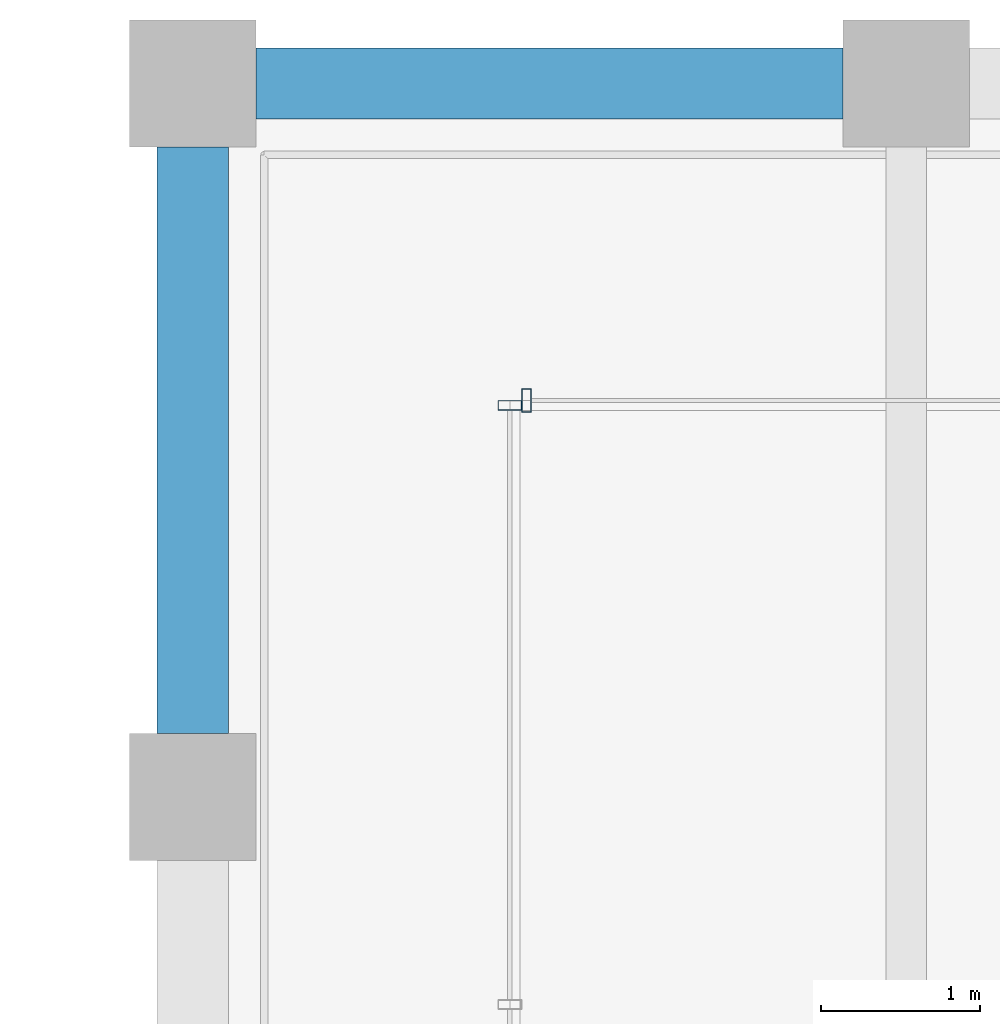
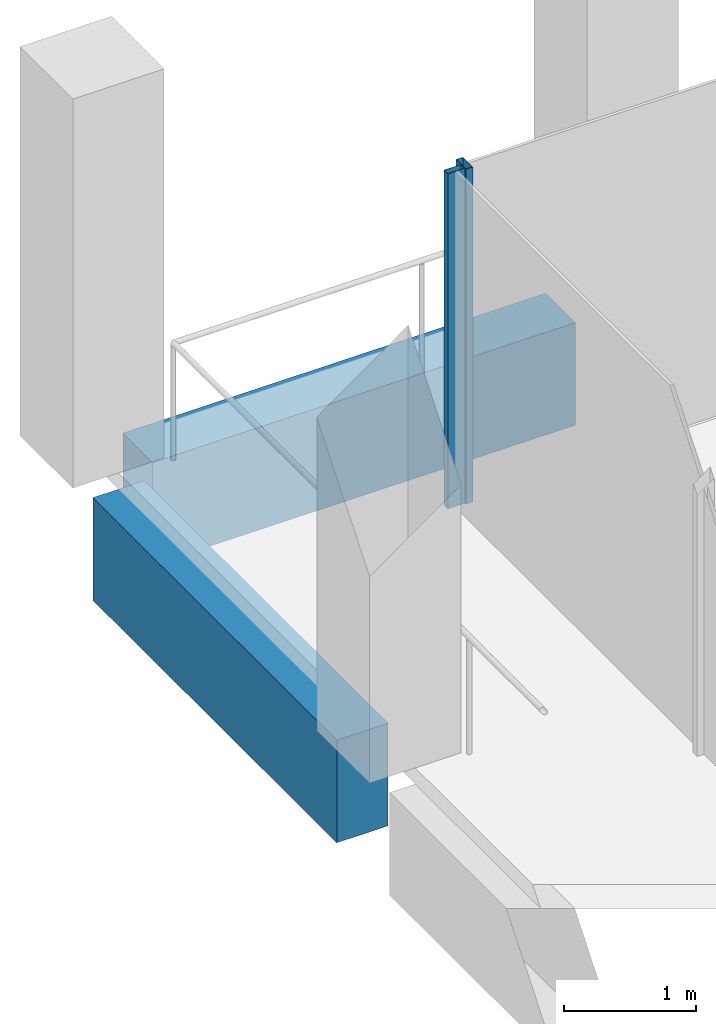
# One storey, part 21 of 30: 2 beams, 2 members, 2 elements without a shape of their own.
"""IFC4 building model written with IfcOpenShell, lengths in metres."""

from ifc_helpers import new_model, si_unit, direction, frame, origin, origin_2d, place, context, subcontext, project, spatial, rectangle, hollow_rectangle, extrude, material, material_profile, profile_set, type_object, element, aggregate, save


model = new_model("IFC4")

# Units and contexts
model_context = context("Model", 3, precision=1e-05, world=origin(), true_north=direction((0.0, 1.0)))
body_context = subcontext(model_context, "Body", "Model", "MODEL_VIEW")
ifc_project = project(units=[si_unit("LENGTHUNIT", "METRE"), si_unit("AREAUNIT", "SQUARE_METRE"), si_unit("VOLUMEUNIT", "CUBIC_METRE"), si_unit("PLANEANGLEUNIT", "RADIAN"), si_unit("MASSUNIT", "GRAM", prefix="KILO")], contexts=[model_context])

# Site, building, storey
site_placement = place(None, origin())
site = spatial("IfcSite", under=ifc_project, at=site_placement, CompositionType="ELEMENT")
building_placement = place(site_placement, origin())
building = spatial("IfcBuilding", under=site, at=building_placement, Name="Altepetl Exchange Towers", CompositionType="ELEMENT")
storey_placement = place(building_placement, frame((0.0, 0.0, 224.39990234375)))
storey = spatial("IfcBuildingStorey", under=building, at=storey_placement, Name="L57", CompositionType="ELEMENT", Elevation=224.39990234375)

# Curtain wall, member
ifc_material_1 = material(Name="Aluminium 6063-T6 glazing", Category="aluminium")
curtain_wall_type = type_object("IfcCurtainWallType", Name="Loggia glazing system", PredefinedType="NOTDEFINED", material=ifc_material_1)
curtain_wall_1_placement = place(storey_placement, origin())
curtain_wall_1 = element("IfcCurtainWall", 1, at=curtain_wall_1_placement, inside=storey, type_object=curtain_wall_type, Name="CW1 run", PredefinedType="NOTDEFINED")
ifc_material_2 = material(Name="Aluminium 6063-T6", Category="aluminium")
ifc_material_profile_1 = material_profile(ifc_material_2, hollow_rectangle(XDim=0.06005859375, YDim=0.14990234375, WallThickness=0.0029296875, at=origin_2d()), Name="Mullion 60x150 aluminium")
ifc_profile_set_1 = profile_set([ifc_material_profile_1], Name="Aluminium 6063-T6")
member_type = type_object("IfcMemberType", Name="Mullion 60x150 aluminium", PredefinedType="MULLION", material=ifc_profile_set_1)
member_1_placement = place(storey_placement, frame((42.60498046875, 70.0, 0.0), z_axis=(0.0, 0.0, 1.0), x_axis=(-1.0, 0.0, 0.0)))
member_1 = element("IfcMember", 2, at=member_1_placement, type_object=member_type, Name="MU1 mullion", PredefinedType="MULLION", context=body_context, shape_type="SweptSolid", body=[
    extrude(hollow_rectangle(XDim=0.06005859375, YDim=0.14990234375, WallThickness=0.0029296875, at=origin_2d()), origin(), (0.0, 0.0, 1.0), 3.10009765625),
])
aggregate(curtain_wall_1, [member_1])

curtain_wall_2_placement = place(storey_placement, origin())
curtain_wall_2 = element("IfcCurtainWall", 3, at=curtain_wall_2_placement, inside=storey, type_object=curtain_wall_type, Name="CW1 run", PredefinedType="NOTDEFINED")
member_2_placement = place(storey_placement, frame((42.5, 69.969970703125, 0.0), z_axis=(0.0, 0.0, 1.0), x_axis=(0.0, -1.0, 0.0)))
member_2 = element("IfcMember", 4, at=member_2_placement, type_object=member_type, Name="MU1 mullion", PredefinedType="MULLION", context=body_context, shape_type="SweptSolid", body=[
    extrude(hollow_rectangle(XDim=0.06005859375, YDim=0.14990234375, WallThickness=0.0029296875, at=origin_2d()), origin(), (0.0, 0.0, 1.0), 3.10009765625),
])
aggregate(curtain_wall_2, [member_2])

# Beams
ifc_material_3 = material(Name="Concrete C50/60 precast with cantera rosa facing", Category="concrete")
ifc_material_profile_2 = material_profile(ifc_material_3, rectangle(XDim=0.449951171875, YDim=0.949951171875, at=origin_2d()), Name="450 x 950")
ifc_profile_set_2 = profile_set([ifc_material_profile_2], Name="Concrete C50/60 precast with cantera rosa facing")
beam_type_1 = type_object("IfcBeamType", Name="Spandrel beam 450x950 cantera rosa", PredefinedType="SPANDREL", material=ifc_profile_set_2)
beam_1_placement = place(storey_placement, frame((44.60009765625, 72.0, -0.625), z_axis=(-1.0, 0.0, 0.0), x_axis=(0.0, -1.0, 0.0)))
element("IfcBeam", 5, at=beam_1_placement, inside=storey, type_object=beam_type_1, Name="sp:A:L57:029", PredefinedType="SPANDREL", context=body_context, shape_type="SweptSolid", body=[
    extrude(rectangle(XDim=0.449951171875, YDim=0.949951171875, at=origin_2d()), origin(), (0.0, 0.0, 1.0), 3.7001953125),
])
ifc_material_4 = material(Name="Concrete C50/60 precast with tezontle facing", Category="concrete")
ifc_material_profile_3 = material_profile(ifc_material_4, rectangle(XDim=0.449951171875, YDim=0.949951171875, at=origin_2d()), Name="450 x 950")
ifc_profile_set_3 = profile_set([ifc_material_profile_3], Name="Concrete C50/60 precast with tezontle facing")
beam_type_2 = type_object("IfcBeamType", Name="Spandrel beam 450x950 tezontle", PredefinedType="SPANDREL", material=ifc_profile_set_3)
beam_2_placement = place(storey_placement, frame((40.5, 71.60009765625, -0.625), z_axis=(0.0, -1.0, 0.0), x_axis=(1.0, 0.0, 0.0)))
element("IfcBeam", 6, at=beam_2_placement, inside=storey, type_object=beam_type_2, Name="sp:A:L57:030", PredefinedType="SPANDREL", context=body_context, shape_type="SweptSolid", body=[
    extrude(rectangle(XDim=0.449951171875, YDim=0.949951171875, at=origin_2d()), origin(), (0.0, 0.0, 1.0), 3.7001953125),
])

save(model, "model.ifc")
